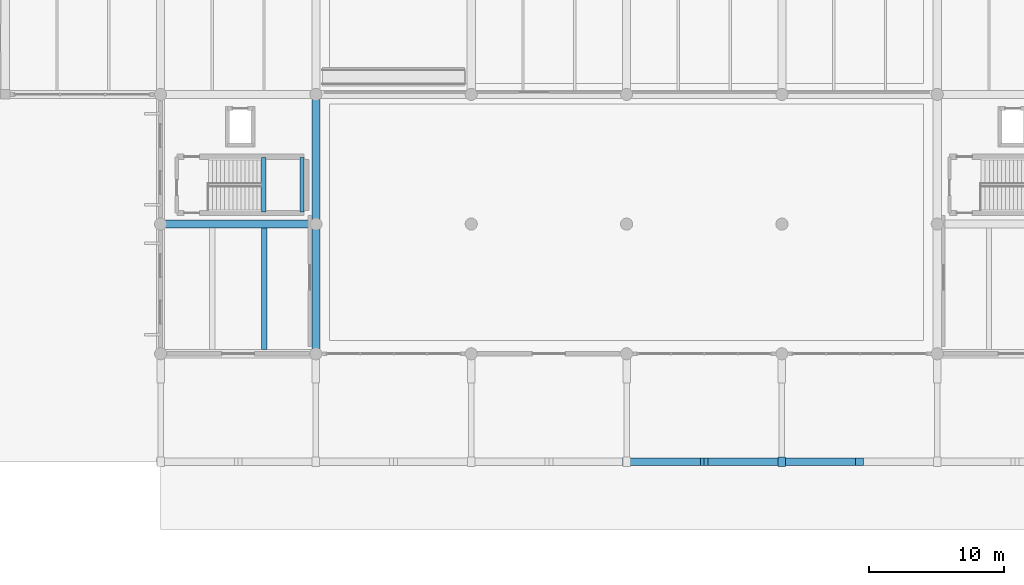
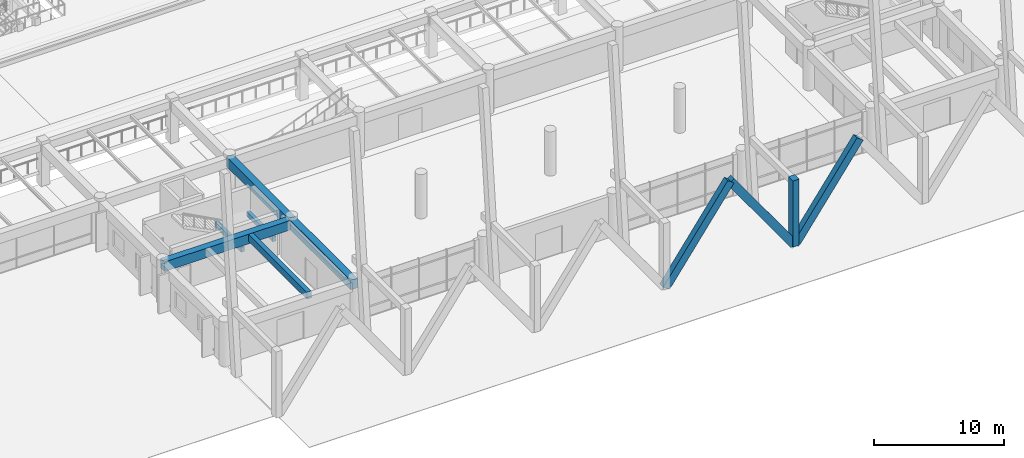
# One storey, part 19 of 109: 6 beams, 4 members.
"""IFC4 building model written with IfcOpenShell, lengths in metres."""

from ifc_helpers import new_model, si_unit, direction, frame, origin, origin_2d, place, context, subcontext, project, spatial, rectangle, extrude, material, material_profile, profile_set, type_object, element, save


model = new_model("IFC4")

# Units and contexts
model_context = context("Model", 3, precision=1e-05, world=origin(), true_north=direction((0.0, 1.0)))
body_context = subcontext(model_context, "Body", "Model", "MODEL_VIEW")
ifc_project = project(units=[si_unit("LENGTHUNIT", "METRE"), si_unit("AREAUNIT", "SQUARE_METRE"), si_unit("VOLUMEUNIT", "CUBIC_METRE"), si_unit("PLANEANGLEUNIT", "RADIAN"), si_unit("MASSUNIT", "GRAM", prefix="KILO")], contexts=[model_context])

# Site, building, storey
site_placement = place(None, origin())
site = spatial("IfcSite", under=ifc_project, at=site_placement, CompositionType="ELEMENT")
building_placement = place(site_placement, origin())
building = spatial("IfcBuilding", under=site, at=building_placement, Name="Ologun Quay Terminus", CompositionType="ELEMENT")
storey_placement = place(building_placement, origin())
storey = spatial("IfcBuildingStorey", under=building, at=storey_placement, Name="L00", CompositionType="ELEMENT", Elevation=0.0)

# Beams
ifc_material_1 = material(Name="Concrete C40/50", Category="concrete")
ifc_material_profile_1 = material_profile(ifc_material_1, rectangle(XDim=0.300048828125, YDim=0.449951171875, at=origin_2d()), Name="RC 300x450")
ifc_profile_set_1 = profile_set([ifc_material_profile_1], Name="Concrete C40/50")
beam_type_1 = type_object("IfcBeamType", Name="Core Coupling Lintel Beam 300x450", PredefinedType="LINTEL", material=ifc_profile_set_1)
for number, where, z_axis, x_axis, name in (
    (1, (65.139892578125, 18.47998046875, 1.695068359375), (0.0, 1.0, 0.0), (-1.0, 0.0, 0.0), "LN1 Half-Landing Ledger Beam ST-S3-W L00"),
    (2, (67.9599609375, 18.47998046875, 1.695068359375), (0.0, 1.0, 0.0), (-1.0, 0.0, 0.0), "LN1 Half-Landing Ledger Beam ST-S3-E L00"),
):
    element("IfcBeam", number, at=place(storey_placement, frame(where, z_axis=z_axis, x_axis=x_axis)), inside=storey, type_object=beam_type_1, Name=name, PredefinedType="LINTEL", context=body_context, shape_type="SweptSolid", body=[
        extrude(rectangle(XDim=0.300048828125, YDim=0.449951171875, at=origin_2d()), origin(), (0.0, 0.0, 1.0), 4.0400390625),
    ])

# Members
ifc_material_2 = material(Name="Concrete C45/55", Category="concrete")
ifc_material_profile_2 = material_profile(ifc_material_2, rectangle(XDim=0.550048828125, YDim=0.699951171875, at=origin_2d()), Name="RC 550x700")
ifc_profile_set_2 = profile_set([ifc_material_profile_2], Name="Concrete C45/55")
member_type = type_object("IfcMemberType", Name="Folded Canopy Concrete V-Strut 550x700", PredefinedType="STRUT", material=ifc_profile_set_2)
member_placement = place(storey_placement, frame((103.5, 0.0, 0.0), z_axis=(0.0, 0.0, 1.0), x_axis=(1.0, 0.0, 0.0)))
element("IfcMember", 3, at=member_placement, inside=storey, type_object=member_type, Name="VS2 Canopy Pier 10/A", PredefinedType="STRUT", context=body_context, shape_type="SweptSolid", body=[
    extrude(rectangle(XDim=0.550048828125, YDim=0.699951171875, at=origin_2d()), origin(), (0.0, 0.0, 1.0), 6.219970703125),
])
for number, where, z_axis, x_axis, name in (
    (4, (92.0, 0.0, 0.0), (0.582674207859, 0.0, 0.812705830849), (0.0, 1.0, 0.0), "VS2 Canopy Strut 9/A-E"),
    (5, (103.5, 0.0, 0.0), (-0.582674207859, 0.0, 0.812705830849), (0.0, -1.0, 0.0), "VS2 Canopy Strut 10/A-W"),
    (6, (103.5, 0.0, 0.0), (0.582674207859, 0.0, 0.812705830849), (0.0, 1.0, 0.0), "VS2 Canopy Strut 10/A-E"),
):
    element("IfcMember", number, at=place(storey_placement, frame(where, z_axis=z_axis, x_axis=x_axis)), inside=storey, type_object=member_type, Name=name, PredefinedType="STRUT", context=body_context, shape_type="SweptSolid", body=[
        extrude(rectangle(XDim=0.550048828125, YDim=0.699951171875, at=origin_2d()), origin(), (0.0, 0.0, 1.0), 9.868408203125),
    ])

# Beams
ifc_material_3 = material(Name="Concrete C40/50", Category="concrete")
ifc_material_profile_3 = material_profile(ifc_material_3, rectangle(XDim=0.60009765625, YDim=0.89990234375, at=origin_2d()), Name="RC 600x900")
ifc_profile_set_3 = profile_set([ifc_material_profile_3], Name="Concrete C40/50")
beam_type_2 = type_object("IfcBeamType", Name="Station Frame Girder 600x900", PredefinedType="BEAM", material=ifc_profile_set_3)
beam_1_placement = place(storey_placement, frame((57.5, 17.60009765625, 3.449951171875), z_axis=(1.0, 0.0, 0.0), x_axis=(0.0, 1.0, 0.0)))
element("IfcBeam", 7, at=beam_1_placement, inside=storey, type_object=beam_type_2, Name="B3 Beam 6/C L00", PredefinedType="BEAM", context=body_context, shape_type="SweptSolid", body=[
    extrude(rectangle(XDim=0.60009765625, YDim=0.89990234375, at=origin_2d()), origin(), (0.0, 0.0, 1.0), 11.5),
])
beam_2_placement = place(storey_placement, frame((69.0, 8.0, 3.449951171875), z_axis=(0.0, 1.0, 0.0), x_axis=(-1.0, 0.0, 0.0)))
element("IfcBeam", 8, at=beam_2_placement, inside=storey, type_object=beam_type_2, Name="B3 Beam 7/B L00", PredefinedType="BEAM", context=body_context, shape_type="SweptSolid", body=[
    extrude(rectangle(XDim=0.60009765625, YDim=0.89990234375, at=origin_2d()), origin(), (0.0, 0.0, 1.0), 9.60009765625),
])
beam_3_placement = place(storey_placement, frame((69.0, 17.60009765625, 3.449951171875), z_axis=(0.0, 1.0, 0.0), x_axis=(-1.0, 0.0, 0.0)))
element("IfcBeam", 9, at=beam_3_placement, inside=storey, type_object=beam_type_2, Name="B3 Beam 7/C L00", PredefinedType="BEAM", context=body_context, shape_type="SweptSolid", body=[
    extrude(rectangle(XDim=0.60009765625, YDim=0.89990234375, at=origin_2d()), origin(), (0.0, 0.0, 1.0), 9.599853515625),
])
ifc_material_4 = material(Name="Concrete C40/50", Category="concrete")
ifc_material_profile_4 = material_profile(ifc_material_4, rectangle(XDim=0.39990234375, YDim=0.64990234375, at=origin_2d()), Name="RC 400x650")
ifc_profile_set_4 = profile_set([ifc_material_profile_4], Name="Concrete C40/50")
beam_type_3 = type_object("IfcBeamType", Name="Station Secondary Joist 400x650", PredefinedType="JOIST", material=ifc_profile_set_4)
beam_4_placement = place(storey_placement, frame((65.166748046875, 8.300048828125, 3.574951171875), z_axis=(0.0, 1.0, 0.0), x_axis=(-1.0, 0.0, 0.0)))
element("IfcBeam", 10, at=beam_4_placement, inside=storey, type_object=beam_type_3, Name="J1 Beam 6/B L00", PredefinedType="JOIST", context=body_context, shape_type="SweptSolid", body=[
    extrude(rectangle(XDim=0.39990234375, YDim=0.64990234375, at=origin_2d()), origin(), (0.0, 0.0, 1.0), 9.0),
])

save(model, "model.ifc")
